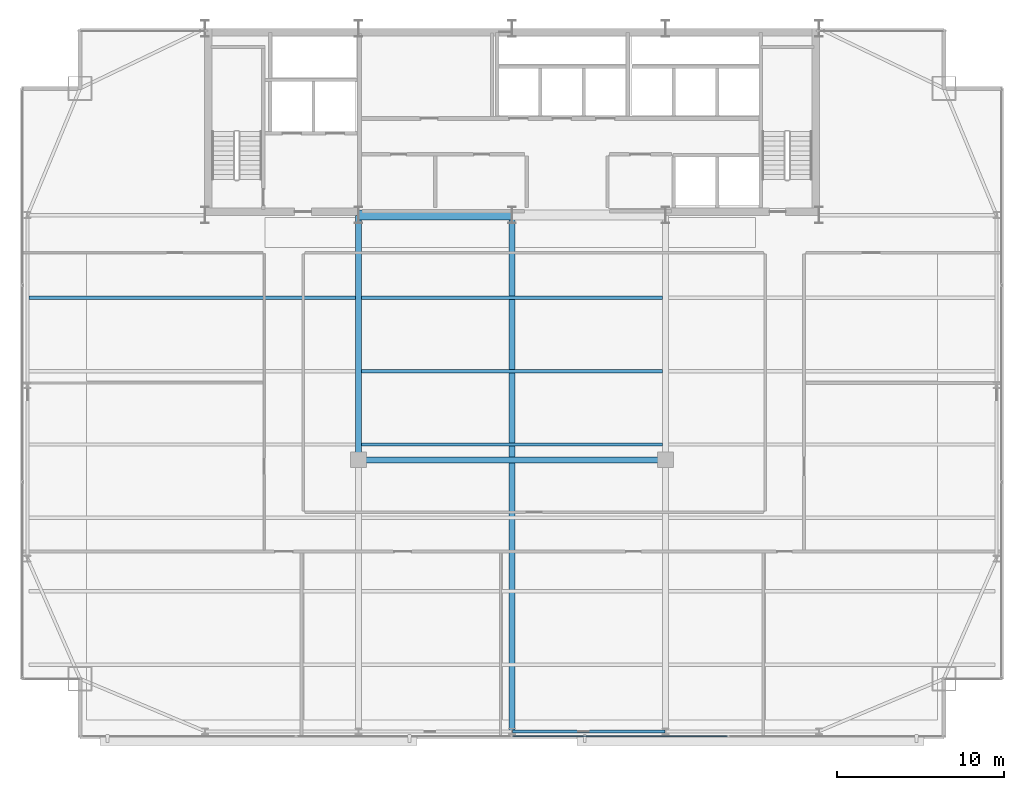
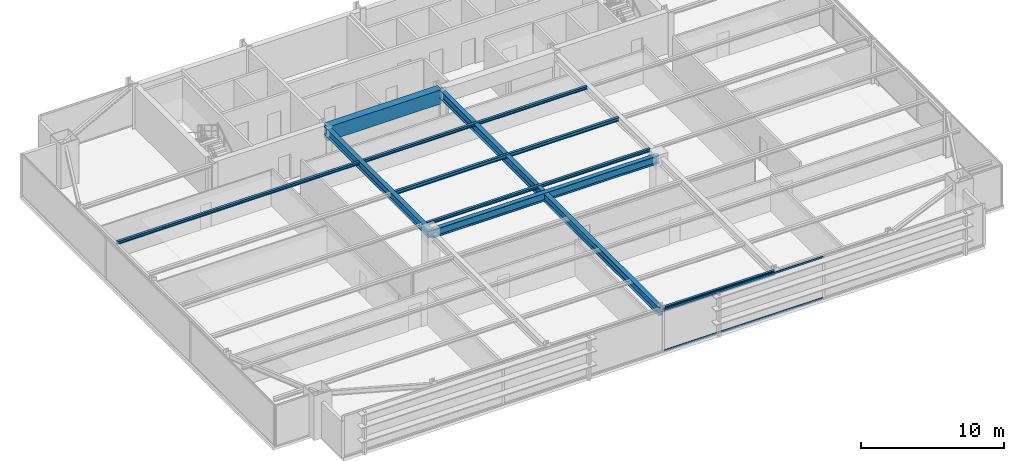
# One storey, part 11 of 33: 9 beams, 2 members, 1 element without a shape of its own.
"""IFC4 building model written with IfcOpenShell, lengths in metres."""

from ifc_helpers import new_model, si_unit, direction, frame, origin, origin_2d, place, context, subcontext, project, spatial, rectangle, hollow_rectangle, i_section, extrude, source, transform, mapped, material, layer, layer_set, material_profile, profile_set, type_object, type_shapes, element, aggregate, save


model = new_model("IFC4")

# Units and contexts
model_context = context("Model", 3, precision=1e-05, world=origin(), true_north=direction((0.0, 1.0)))
body_context = subcontext(model_context, "Body", "Model", "MODEL_VIEW")
ifc_project = project(units=[si_unit("LENGTHUNIT", "METRE"), si_unit("AREAUNIT", "SQUARE_METRE"), si_unit("VOLUMEUNIT", "CUBIC_METRE"), si_unit("PLANEANGLEUNIT", "RADIAN"), si_unit("MASSUNIT", "GRAM", prefix="KILO")], contexts=[model_context])

# Site, building, storey
site_placement = place(None, origin())
site = spatial("IfcSite", under=ifc_project, at=site_placement, CompositionType="ELEMENT")
building_placement = place(site_placement, origin())
building = spatial("IfcBuilding", under=site, at=building_placement, Name="Varnel Quay Broadcast Tower", CompositionType="ELEMENT")
storey_placement = place(building_placement, frame((0.0, 0.0, 129.60009765625)))
storey = spatial("IfcBuildingStorey", under=building, at=storey_placement, Name="L31", CompositionType="ELEMENT", Elevation=129.60009765625)

# Beams
ifc_material_1 = material(Name="Structural Steel CSA G40.21 350W", Category="steel")
ifc_material_profile_1 = material_profile(ifc_material_1, i_section(OverallWidth=0.180908203125, OverallDepth=0.4169921875, WebThickness=0.010986328125, FlangeThickness=0.018310546875, FilletRadius=0.011962890625, at=origin_2d()), Name="W410X85")
ifc_profile_set_1 = profile_set([ifc_material_profile_1], Name="Structural Steel CSA G40.21 350W")
beam_type_1 = type_object("IfcBeamType", Name="Beam_W410X85", PredefinedType="SPANDREL", material=ifc_profile_set_1)
shared_shape_1 = source(origin(), body_context, "Body", "SweptSolid", [
    extrude(i_section(OverallWidth=0.180908203125, OverallDepth=0.4169921875, WebThickness=0.010986328125, FlangeThickness=0.018310546875, FilletRadius=0.011962890625, at=origin_2d()), origin(), (0.0, 0.0, 1.0), 9.159912109375),
])
type_shapes(beam_type_1, [shared_shape_1])
beam_1_placement = place(storey_placement, frame((34.02001953125, 4.64990234375, 3.34130859375), z_axis=(1.0, 0.0, 0.0), x_axis=(0.0, 1.0, 0.0)))
element("IfcBeam", 1, at=beam_1_placement, inside=storey, type_object=beam_type_1, Name="L31 South Spandrel TC-S3-TC-S4", PredefinedType="SPANDREL", context=body_context, shape_type="MappedRepresentation", body=[
    mapped(shared_shape_1, transform((0.0, 0.0, 0.0), x_axis=(1.0, 0.0, 0.0), y_axis=(0.0, 1.0, 0.0), z_axis=(0.0, 0.0, 1.0), scale=1.0)),
])
ifc_material_2 = material(Name="Concrete CSA A23.3 C60/75", Category="concrete")
ifc_material_profile_2 = material_profile(ifc_material_2, rectangle(XDim=0.60009765625, YDim=1.199951171875, at=origin_2d()), Name="RC600X1200")
ifc_profile_set_2 = profile_set([ifc_material_profile_2], Name="Concrete CSA A23.3 C60/75")
beam_type_2 = type_object("IfcBeamType", Name="Beam_RC600X1200", PredefinedType="BEAM", material=ifc_profile_set_2)
shared_shape_2 = source(origin(), body_context, "Body", "SweptSolid", [
    extrude(rectangle(XDim=0.60009765625, YDim=1.199951171875, at=origin_2d()), origin(), (0.0, 0.0, 1.0), 9.159912109375),
])
type_shapes(beam_type_2, [shared_shape_2])
beam_2_placement = place(storey_placement, frame((24.820068359375, 35.60009765625, 2.949951171875), z_axis=(1.0, 0.0, 0.0), x_axis=(0.0, 1.0, 0.0)))
element("IfcBeam", 2, at=beam_2_placement, inside=storey, type_object=beam_type_2, Name="L31 Core Coupling Beam W", PredefinedType="BEAM", context=body_context, shape_type="MappedRepresentation", body=[
    mapped(shared_shape_2, transform((0.0, 0.0, 0.0), x_axis=(1.0, 0.0, 0.0), y_axis=(0.0, 1.0, 0.0), z_axis=(0.0, 0.0, 1.0), scale=1.0)),
])
ifc_material_profile_3 = material_profile(ifc_material_1, i_section(OverallWidth=0.35498046875, OverallDepth=0.695068359375, WebThickness=0.015380859375, FlangeThickness=0.02490234375, FilletRadius=0.01806640625, at=origin_2d()), Name="W690X217")
ifc_profile_set_3 = profile_set([ifc_material_profile_3], Name="Structural Steel CSA G40.21 350W")
beam_type_3 = type_object("IfcBeamType", Name="Girder_W690X217", PredefinedType="BEAM", material=ifc_profile_set_3)
shared_shape_3 = source(origin(), body_context, "Body", "SweptSolid", [
    extrude(i_section(OverallWidth=0.35498046875, OverallDepth=0.695068359375, WebThickness=0.015380859375, FlangeThickness=0.02490234375, FilletRadius=0.01806640625, at=origin_2d()), origin(), (0.0, 0.0, 1.0), 14.630126953125),
])
beam_3_placement = place(storey_placement, frame((24.800048828125, 20.949951171875, 3.202392578125), z_axis=(0.0, 1.0, 0.0), x_axis=(-1.0, 0.0, 0.0)))
element("IfcBeam", 3, at=beam_3_placement, inside=storey, type_object=beam_type_3, Name="L31 Primary Girder IC-01-CC-S2", PredefinedType="BEAM", context=body_context, shape_type="MappedRepresentation", body=[
    mapped(shared_shape_3, transform((0.0, 0.0, 0.0), x_axis=(1.0, 0.0, 0.0), y_axis=(0.0, 1.0, 0.0), z_axis=(0.0, 0.0, 1.0), scale=1.0)),
])
shared_shape_4 = source(origin(), body_context, "Body", "SweptSolid", [
    extrude(i_section(OverallWidth=0.35498046875, OverallDepth=0.695068359375, WebThickness=0.015380859375, FlangeThickness=0.02490234375, FilletRadius=0.01806640625, at=origin_2d()), origin(), (0.0, 0.0, 1.0), 18.35986328125),
])
beam_4_placement = place(storey_placement, frame((24.820068359375, 20.929931640625, 3.202392578125), z_axis=(1.0, 0.0, 0.0), x_axis=(0.0, 1.0, 0.0)))
element("IfcBeam", 4, at=beam_4_placement, inside=storey, type_object=beam_type_3, Name="L31 Interior Spine Girder", PredefinedType="BEAM", context=body_context, shape_type="MappedRepresentation", body=[
    mapped(shared_shape_4, transform((0.0, 0.0, 0.0), x_axis=(1.0, 0.0, 0.0), y_axis=(0.0, 1.0, 0.0), z_axis=(0.0, 0.0, 1.0), scale=1.0)),
])
shared_shape_5 = source(origin(), body_context, "Body", "SweptSolid", [
    extrude(i_section(OverallWidth=0.35498046875, OverallDepth=0.695068359375, WebThickness=0.015380859375, FlangeThickness=0.02490234375, FilletRadius=0.01806640625, at=origin_2d()), origin(), (0.0, 0.0, 1.0), 30.91015625),
])
type_shapes(beam_type_3, [shared_shape_3, shared_shape_4, shared_shape_5])
beam_5_placement = place(storey_placement, frame((34.0, 4.669921875, 3.202392578125), z_axis=(0.0, 1.0, 0.0), x_axis=(-1.0, 0.0, 0.0)))
element("IfcBeam", 5, at=beam_5_placement, inside=storey, type_object=beam_type_3, Name="L31 Central Bay Girder", PredefinedType="BEAM", context=body_context, shape_type="MappedRepresentation", body=[
    mapped(shared_shape_5, transform((0.0, 0.0, 0.0), x_axis=(1.0, 0.0, 0.0), y_axis=(0.0, 1.0, 0.0), z_axis=(0.0, 0.0, 1.0), scale=1.0)),
])
ifc_material_profile_4 = material_profile(ifc_material_1, i_section(OverallWidth=0.202880859375, OverallDepth=0.302978515625, WebThickness=0.007568359375, FlangeThickness=0.01318359375, FilletRadius=0.011962890625, at=origin_2d()), Name="W310X60")
ifc_profile_set_4 = profile_set([ifc_material_profile_4], Name="Structural Steel CSA G40.21 350W")
beam_type_4 = type_object("IfcBeamType", Name="Beam_W310X60", PredefinedType="JOIST", material=ifc_profile_set_4)
shared_shape_6 = source(origin(), body_context, "Body", "SweptSolid", [
    extrude(i_section(OverallWidth=0.202880859375, OverallDepth=0.302978515625, WebThickness=0.007568359375, FlangeThickness=0.01318359375, FilletRadius=0.011962890625, at=origin_2d()), origin(), (0.0, 0.0, 1.0), 18.05517578125),
])
type_shapes(beam_type_4, [shared_shape_6])
beam_6_placement = place(storey_placement, frame((24.972412109375, 26.25, 3.3984375), z_axis=(1.0, 0.0, 0.0), x_axis=(0.0, 1.0, 0.0)))
element("IfcBeam", 6, at=beam_6_placement, inside=storey, type_object=beam_type_4, Name="L31 Central Floor Joist 5", PredefinedType="JOIST", context=body_context, shape_type="MappedRepresentation", body=[
    mapped(shared_shape_6, transform((0.0, 0.0, 0.0), x_axis=(1.0, 0.0, 0.0), y_axis=(0.0, 1.0, 0.0), z_axis=(0.0, 0.0, 1.0), scale=1.0)),
])
ifc_material_profile_5 = material_profile(ifc_material_1, i_section(OverallWidth=0.201904296875, OverallDepth=0.2470703125, WebThickness=0.00732421875, FlangeThickness=0.010986328125, FilletRadius=0.010986328125, at=origin_2d()), Name="W250X49")
ifc_profile_set_5 = profile_set([ifc_material_profile_5], Name="Structural Steel CSA G40.21 350W")
beam_type_5 = type_object("IfcBeamType", Name="Beam_W250X49", PredefinedType="JOIST", material=ifc_profile_set_5)
shared_shape_7 = source(origin(), body_context, "Body", "SweptSolid", [
    extrude(i_section(OverallWidth=0.201904296875, OverallDepth=0.2470703125, WebThickness=0.00732421875, FlangeThickness=0.010986328125, FilletRadius=0.010986328125, at=origin_2d()), origin(), (0.0, 0.0, 1.0), 19.592041015625),
])
beam_7_placement = place(storey_placement, frame((5.035400390625, 30.64990234375, 3.426513671875), z_axis=(1.0, 0.0, 0.0), x_axis=(0.0, 1.0, 0.0)))
element("IfcBeam", 7, at=beam_7_placement, inside=storey, type_object=beam_type_5, Name="L31 West Floor Joist 6", PredefinedType="JOIST", context=body_context, shape_type="MappedRepresentation", body=[
    mapped(shared_shape_7, transform((0.0, 0.0, 0.0), x_axis=(1.0, 0.0, 0.0), y_axis=(0.0, 1.0, 0.0), z_axis=(0.0, 0.0, 1.0), scale=1.0)),
])
shared_shape_8 = source(origin(), body_context, "Body", "SweptSolid", [
    extrude(i_section(OverallWidth=0.201904296875, OverallDepth=0.2470703125, WebThickness=0.00732421875, FlangeThickness=0.010986328125, FilletRadius=0.010986328125, at=origin_2d()), origin(), (0.0, 0.0, 1.0), 18.05517578125),
])
type_shapes(beam_type_5, [shared_shape_7, shared_shape_8])
for number, where, z_axis, x_axis, name in (
    (8, (24.972412109375, 21.85009765625, 3.426513671875), (1.0, 0.0, 0.0), (0.0, 1.0, 0.0), "L31 Central Floor Joist 4"),
    (9, (24.972412109375, 30.64990234375, 3.426513671875), (1.0, 0.0, 0.0), (0.0, 1.0, 0.0), "L31 Central Floor Joist 6"),
):
    element("IfcBeam", number, at=place(storey_placement, frame(where, z_axis=z_axis, x_axis=x_axis)), inside=storey, type_object=beam_type_5, Name=name, PredefinedType="JOIST", context=body_context, shape_type="MappedRepresentation", body=[
        mapped(shared_shape_8, transform((0.0, 0.0, 0.0), x_axis=(1.0, 0.0, 0.0), y_axis=(0.0, 1.0, 0.0), z_axis=(0.0, 0.0, 1.0), scale=1.0)),
    ])

# Curtain wall, members
ifc_material_3 = material(Name="Anodised Bronze Aluminium 6063-T6", Category="aluminium")
ifc_layer = layer(ifc_material_3, 0.18994140625, Name="Anodised Bronze Aluminium 6063-T6")
ifc_layer_set = layer_set([ifc_layer], Name="Anodised Bronze Aluminium 6063-T6")
curtain_wall_type = type_object("IfcCurtainWallType", Name="CW_LowerTower", PredefinedType="NOTDEFINED", material=ifc_layer_set)
curtain_wall_placement = place(storey_placement, origin())
curtain_wall = element("IfcCurtainWall", 10, at=curtain_wall_placement, inside=storey, type_object=curtain_wall_type, Name="L31 South Unitised Curtain Wall 1", PredefinedType="NOTDEFINED")
ifc_material_profile_6 = material_profile(ifc_material_3, hollow_rectangle(XDim=0.06005859375, YDim=0.14501953125, WallThickness=0.00341796875, at=origin_2d()), Name="ALU60X145X3.5")
ifc_profile_set_6 = profile_set([ifc_material_profile_6], Name="Anodised Bronze Aluminium 6063-T6")
member_type = type_object("IfcMemberType", Name="Tran_CWS-02", PredefinedType="USERDEFINED", material=ifc_profile_set_6)
shared_shape_9 = source(origin(), body_context, "Body", "SweptSolid", [
    extrude(hollow_rectangle(XDim=0.06005859375, YDim=0.14501953125, WallThickness=0.00341796875, at=origin_2d()), origin(), (0.0, 0.0, 1.0), 12.880126953125),
])
type_shapes(member_type, [shared_shape_9])
member_1_placement = place(storey_placement, frame((34.034912109375, 4.35009765625, 0.02978515625), z_axis=(1.0, 0.0, 0.0), x_axis=(0.0, 1.0, 0.0)))
member_1 = element("IfcMember", 11, at=member_1_placement, type_object=member_type, Name="CWS-02 transom 3.1", ObjectType="TRANSOM", PredefinedType="USERDEFINED", context=body_context, shape_type="MappedRepresentation", body=[
    mapped(shared_shape_9, transform((0.0, 0.0, 0.0), x_axis=(1.0, 0.0, 0.0), y_axis=(0.0, 1.0, 0.0), z_axis=(0.0, 0.0, 1.0), scale=1.0)),
])
member_2_placement = place(storey_placement, frame((34.034912109375, 4.35009765625, 3.52001953125), z_axis=(1.0, 0.0, 0.0), x_axis=(0.0, 1.0, 0.0)))
member_2 = element("IfcMember", 12, at=member_2_placement, type_object=member_type, Name="CWS-02 transom 3.2", ObjectType="TRANSOM", PredefinedType="USERDEFINED", context=body_context, shape_type="MappedRepresentation", body=[
    mapped(shared_shape_9, transform((0.0, 0.0, 0.0), x_axis=(1.0, 0.0, 0.0), y_axis=(0.0, 1.0, 0.0), z_axis=(0.0, 0.0, 1.0), scale=1.0)),
])
aggregate(curtain_wall, [member_1, member_2])

save(model, "model.ifc")
